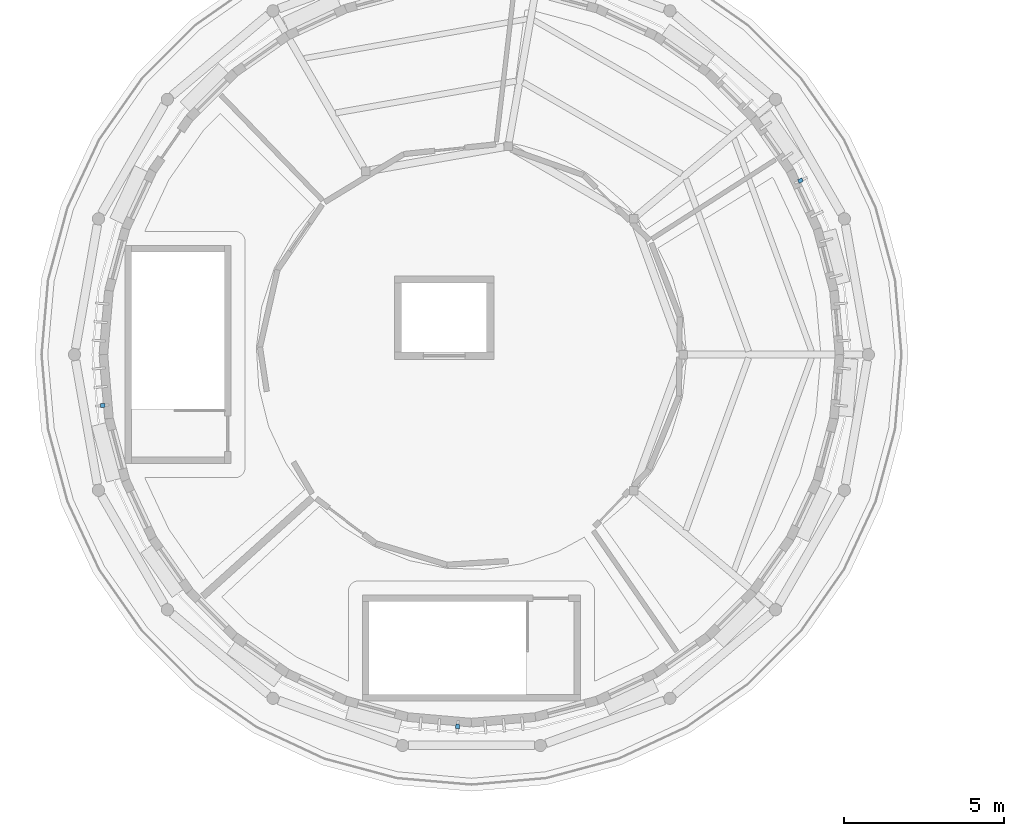
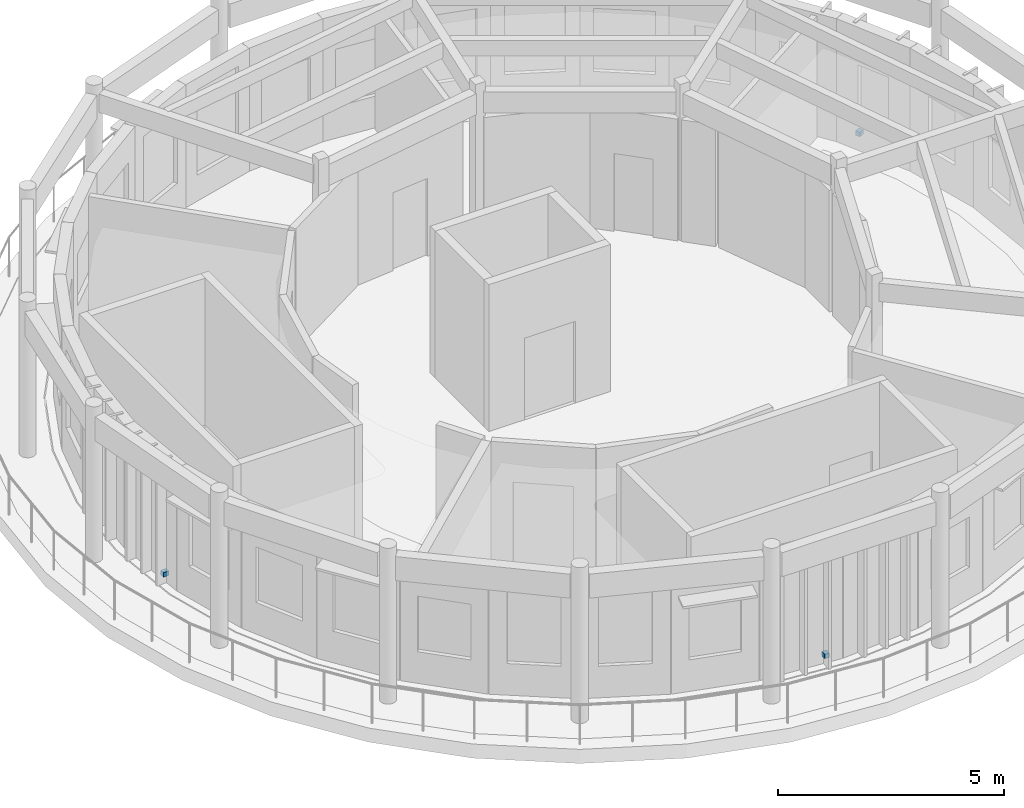
# One storey, part 23 of 30: 3 discrete accessories.
"""IFC4 building model written with IfcOpenShell, lengths in metres."""

from ifc_helpers import new_model, si_unit, direction, frame, origin, origin_2d, place, context, subcontext, project, spatial, rectangle, extrude, material, type_object, element, save


model = new_model("IFC4")

# Units and contexts
model_context = context("Model", 3, precision=1e-05, world=origin(), true_north=direction((0.0, 1.0)))
body_context = subcontext(model_context, "Body", "Model", "MODEL_VIEW")
ifc_project = project(units=[si_unit("LENGTHUNIT", "METRE"), si_unit("AREAUNIT", "SQUARE_METRE"), si_unit("VOLUMEUNIT", "CUBIC_METRE"), si_unit("PLANEANGLEUNIT", "RADIAN"), si_unit("MASSUNIT", "GRAM", prefix="KILO")], contexts=[model_context])

# Site, building, storey
site_placement = place(None, origin())
site = spatial("IfcSite", under=ifc_project, at=site_placement, CompositionType="ELEMENT")
building_placement = place(site_placement, origin())
building = spatial("IfcBuilding", under=site, at=building_placement, Name="Aldenvaro Health Centre", CompositionType="ELEMENT")
storey_placement = place(building_placement, frame((0.0, 0.0, 17.14990234375)))
storey = spatial("IfcBuildingStorey", under=building, at=storey_placement, Name="L04", CompositionType="ELEMENT", Elevation=17.14990234375)

# Discrete accessories
ifc_material = material(Name="Stainless Steel AISI 316", Category="steel")
discrete_accessory_type = type_object("IfcDiscreteAccessoryType", Name="ACC-BRK-01", PredefinedType="BRACKET", material=ifc_material)
for number, where, z_axis, x_axis, name in (
    (1, (18.068115234375, 6.902099609375, 0.18994140625), (0.0, 0.0, 1.0), (-0.996210518377, 0.08697472665, 0.0), "D5 L04 stainless fin bracket 9"),
    (2, (7.0029296875, 16.912109375, 0.18994140625), (0.0, 0.0, 1.0), (-0.08697472665, 0.996210518377, 0.0), "D5 L04 stainless fin bracket 17"),
    (3, (28.760009765625, 23.925048828125, 0.18994140625), (0.0, 0.0, 1.0), (0.422666647477, -0.906285222825, 0.0), "D5 L04 stainless fin bracket 33"),
):
    element("IfcDiscreteAccessory", number, at=place(storey_placement, frame(where, z_axis=z_axis, x_axis=x_axis)), inside=storey, type_object=discrete_accessory_type, Name=name, PredefinedType="BRACKET", context=body_context, shape_type="SweptSolid", body=[
        extrude(rectangle(XDim=0.1201171875, YDim=0.139892578125, at=origin_2d()), origin(), (0.0, 0.0, 1.0), 0.1201171875),
    ])

save(model, "model.ifc")
